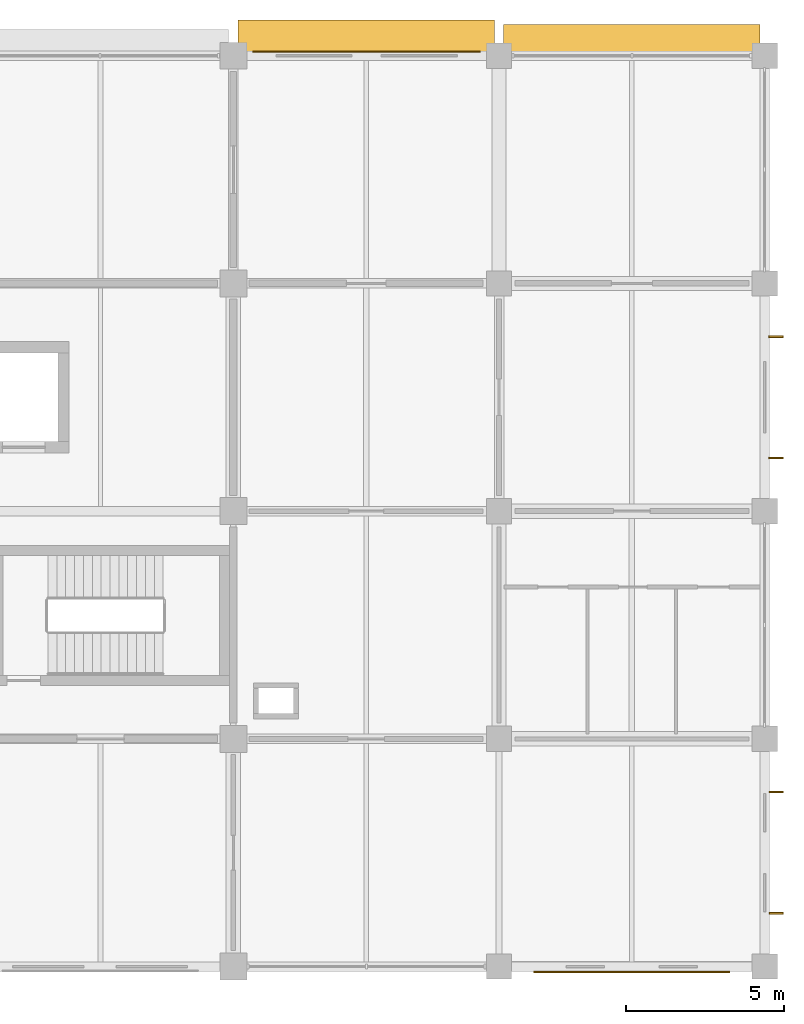
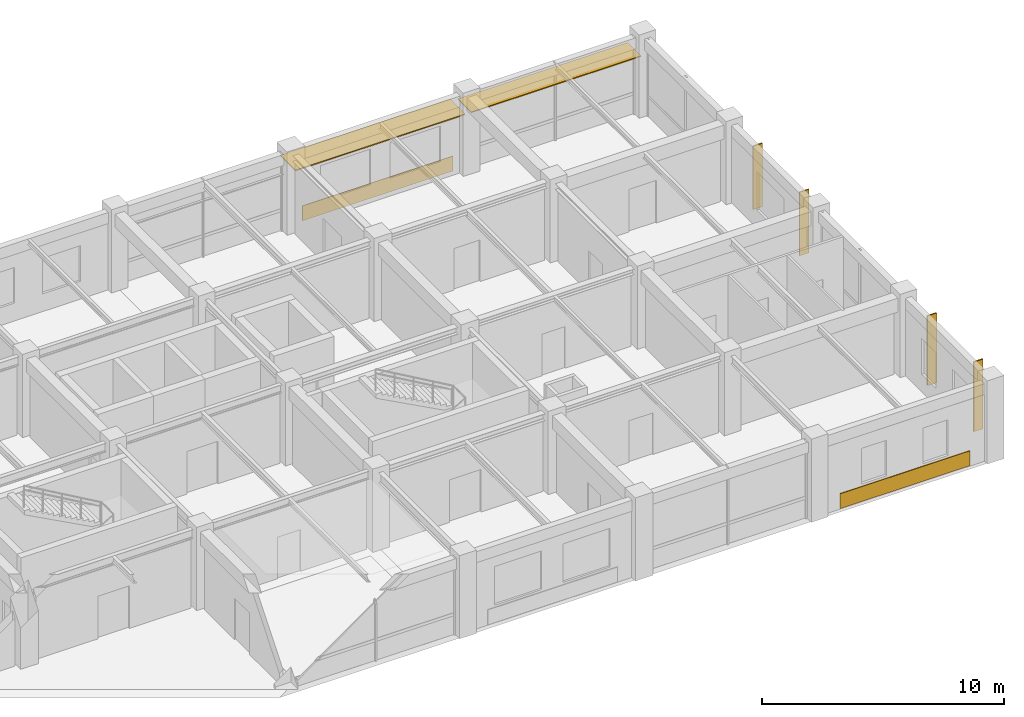
# One storey, part 13 of 13: 6 shading devices, 2 coverings.
"""IFC4 building model written with IfcOpenShell, lengths in metres."""

from ifc_helpers import new_model, si_unit, derived_unit, direction, frame, origin, origin_2d, place, context, subcontext, project, spatial, rectangle, extrude, material, layer, layer_set, type_object, element, save


model = new_model("IFC4")

# Units and contexts
model_context = context("Model", 3, precision=1e-05, world=origin(), true_north=direction((0.0, 1.0)))
body_context = subcontext(model_context, "Body", "Model", "MODEL_VIEW")
ifc_project = project(units=[si_unit("LENGTHUNIT", "METRE"), si_unit("AREAUNIT", "SQUARE_METRE"), si_unit("VOLUMEUNIT", "CUBIC_METRE"), si_unit("PLANEANGLEUNIT", "RADIAN"), si_unit("MASSUNIT", "GRAM", prefix="KILO"), derived_unit("THERMALTRANSMITTANCEUNIT", [(si_unit("MASSUNIT", "GRAM", prefix="KILO"), 1), (si_unit("TIMEUNIT", "SECOND"), -3), (si_unit("THERMODYNAMICTEMPERATUREUNIT", "KELVIN"), -1)])], contexts=[model_context])

# Site, building, storey
site_placement = place(None, origin())
site = spatial("IfcSite", under=ifc_project, at=site_placement, CompositionType="ELEMENT")
building_placement = place(site_placement, origin())
building = spatial("IfcBuilding", under=site, at=building_placement, Name="Veldstrom Oceanarium and Marine Research Institute", CompositionType="ELEMENT")
storey_placement = place(building_placement, frame((0.0, 0.0, 27.0)))
storey = spatial("IfcBuildingStorey", under=building, at=storey_placement, Name="L05", CompositionType="ELEMENT", Elevation=27.0)

# Coverings
ifc_material_1 = material(Name="Anodised Aluminium Spandrel Rainscreen Cladding", Category="aluminium")
ifc_layer_1 = layer(ifc_material_1, 0.75)
ifc_layer_set_1 = layer_set([ifc_layer_1], Name="ARC-COV-CD1")
covering_type_1 = type_object("IfcCoveringType", Name="ARC-COV-CD1", PredefinedType="CLADDING", material=ifc_layer_set_1)
covering_1_placement = place(storey_placement, frame((105.012451171875, 72.12109375, 0.044921875), z_axis=(0.0, 0.0, 1.0), x_axis=(1.0, 0.0, 0.0)))
element("IfcCovering", 1, at=covering_1_placement, inside=storey, type_object=covering_type_1, Name="Spandrel Rainscreen Cladding L05-106", PredefinedType="CLADDING", context=body_context, shape_type="SweptSolid", body=[
    extrude(rectangle(XDim=7.199951171875, YDim=0.034912109375, at=origin_2d()), origin(), (0.0, 0.0, 1.0), 0.75),
])
ifc_material_2 = material(Name="Terracotta Spandrel Rainscreen Cladding", Category="masonry")
ifc_layer_2 = layer(ifc_material_2, 0.75)
ifc_layer_set_2 = layer_set([ifc_layer_2], Name="ARC-COV-CD2")
covering_type_2 = type_object("IfcCoveringType", Name="ARC-COV-CD2", PredefinedType="CLADDING", material=ifc_layer_set_2)
covering_2_placement = place(storey_placement, frame((113.39990234375, 43.029052734375, 0.044921875), z_axis=(0.0, 0.0, 1.0), x_axis=(1.0, 0.0, 0.0)))
element("IfcCovering", 2, at=covering_2_placement, inside=storey, type_object=covering_type_2, Name="Spandrel Rainscreen Cladding L05-107", PredefinedType="CLADDING", context=body_context, shape_type="SweptSolid", body=[
    extrude(rectangle(XDim=6.199951171875, YDim=0.0400390625, at=origin_2d()), origin(), (0.0, 0.0, 1.0), 0.75),
])

# Shading devices
ifc_material_3 = material(Name="Precast Terracotta Brise-Soleil Louvre", Category="masonry")
ifc_layer_3 = layer(ifc_material_3, 3.60009765625)
ifc_layer_set_3 = layer_set([ifc_layer_3], Name="ARC-SHD-BS01")
shading_device_type_1 = type_object("IfcShadingDeviceType", Name="ARC-SHD-BS01", PredefinedType="JALOUSIE", material=ifc_layer_set_3)
for number, where, z_axis, x_axis, name in (
    (3, (117.965087890625, 44.8798828125, 0.199951171875), (0.0, 0.0, 1.0), (1.0, 0.0, 0.0), "Terracotta Brise-Soleil Louvre L05-108"),
    (4, (117.965087890625, 48.719970703125, 0.199951171875), (0.0, 0.0, 1.0), (1.0, 0.0, 0.0), "Terracotta Brise-Soleil Louvre L05-108"),
):
    element("IfcShadingDevice", number, at=place(storey_placement, frame(where, z_axis=z_axis, x_axis=x_axis)), inside=storey, type_object=shading_device_type_1, Name=name, PredefinedType="JALOUSIE", context=body_context, shape_type="SweptSolid", body=[
        extrude(rectangle(XDim=0.449951171875, YDim=0.06005859375, at=origin_2d()), origin(), (0.0, 0.0, 1.0), 3.52001953125),
    ])
ifc_material_4 = material(Name="Precast Terracotta Brise-Soleil Louvre", Category="masonry")
ifc_layer_4 = layer(ifc_material_4, 3.199951171875)
ifc_layer_set_4 = layer_set([ifc_layer_4], Name="ARC-SHD-BS02")
shading_device_type_2 = type_object("IfcShadingDeviceType", Name="ARC-SHD-BS02", PredefinedType="JALOUSIE", material=ifc_layer_set_4)
for number, where, z_axis, x_axis, name in (
    (5, (117.955078125, 59.280029296875, 0.35986328125), (0.0, 0.0, 1.0), (1.0, 0.0, 0.0), "Terracotta Brise-Soleil Louvre L05-109"),
    (6, (117.955078125, 63.1201171875, 0.35986328125), (0.0, 0.0, 1.0), (1.0, 0.0, 0.0), "Terracotta Brise-Soleil Louvre L05-109"),
):
    element("IfcShadingDevice", number, at=place(storey_placement, frame(where, z_axis=z_axis, x_axis=x_axis)), inside=storey, type_object=shading_device_type_2, Name=name, PredefinedType="JALOUSIE", context=body_context, shape_type="SweptSolid", body=[
        extrude(rectangle(XDim=0.449951171875, YDim=0.06005859375, at=origin_2d()), origin(), (0.0, 0.0, 1.0), 3.199951171875),
    ])
ifc_material_5 = material(Name="Perforated Anodised Aluminium Louvre", Category="aluminium")
ifc_layer_5 = layer(ifc_material_5, 0.054931640625)
ifc_layer_set_5 = layer_set([ifc_layer_5], Name="ARC-SHD-SH01")
shading_device_type_3 = type_object("IfcShadingDeviceType", Name="ARC-SHD-SH01", PredefinedType="AWNING", material=ifc_layer_set_5)
shading_device_1_placement = place(storey_placement, frame((105.0, 72.5048828125, 2.85009765625), z_axis=(0.0, 0.0, 1.0), x_axis=(1.0, 0.0, 0.0)))
element("IfcShadingDevice", 7, at=shading_device_1_placement, inside=storey, type_object=shading_device_type_3, Name="North Solar Canopy Louvre L05-13", PredefinedType="AWNING", context=body_context, shape_type="SweptSolid", body=[
    extrude(rectangle(XDim=8.10009765625, YDim=1.25, at=origin_2d()), origin(), (0.0, 0.0, 1.0), 0.054931640625),
])
ifc_material_6 = material(Name="Perforated Anodised Aluminium Louvre", Category="aluminium")
ifc_layer_6 = layer(ifc_material_6, 0.050048828125)
ifc_layer_set_6 = layer_set([ifc_layer_6], Name="ARC-SHD-SH02")
shading_device_type_4 = type_object("IfcShadingDeviceType", Name="ARC-SHD-SH02", PredefinedType="AWNING", material=ifc_layer_set_6)
shading_device_2_placement = place(storey_placement, frame((113.39990234375, 72.429931640625, 2.85009765625), z_axis=(0.0, 0.0, 1.0), x_axis=(1.0, 0.0, 0.0)))
element("IfcShadingDevice", 8, at=shading_device_2_placement, inside=storey, type_object=shading_device_type_4, Name="North Solar Canopy Louvre L05-14", PredefinedType="AWNING", context=body_context, shape_type="SweptSolid", body=[
    extrude(rectangle(XDim=8.10009765625, YDim=1.10009765625, at=origin_2d()), origin(), (0.0, 0.0, 1.0), 0.050048828125),
])

save(model, "model.ifc")
